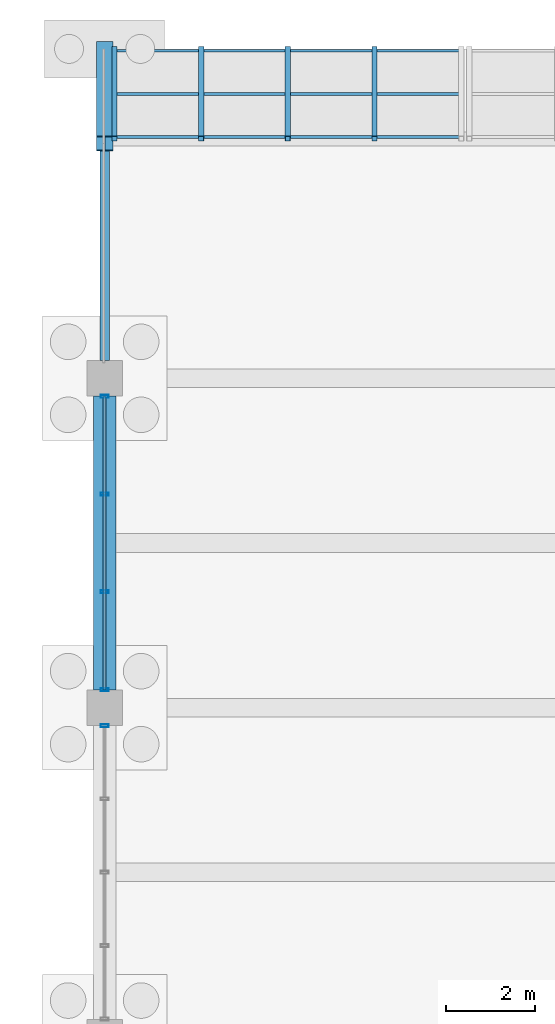
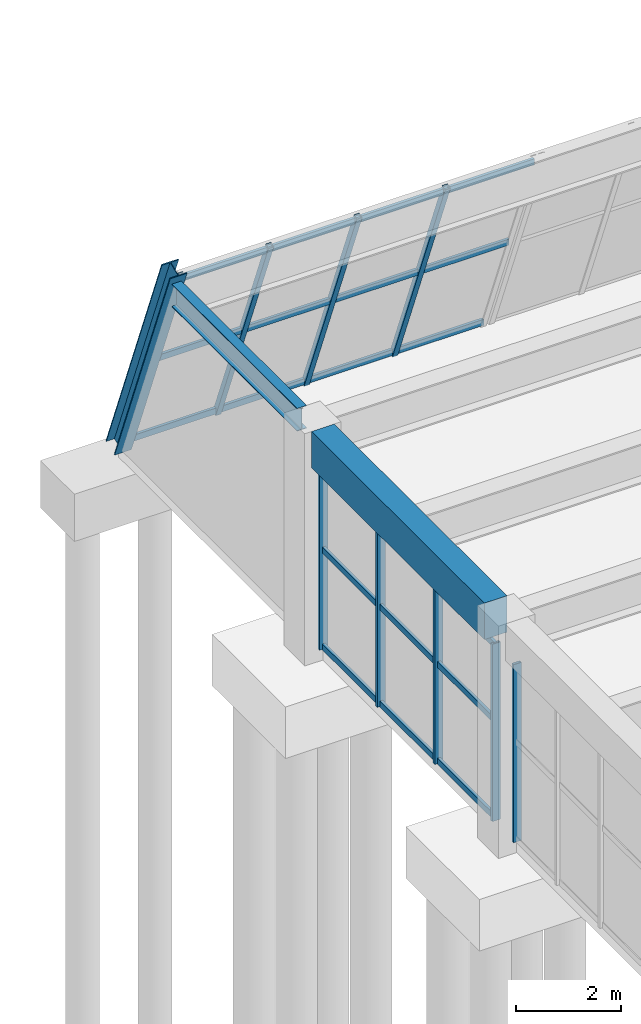
# One storey, part 87 of 140: 16 members, 2 beams, 3 elements without a shape of their own.
"""IFC4 building model written with IfcOpenShell, lengths in metres."""

from ifc_helpers import new_model, si_unit, direction, frame, origin, origin_2d, place, context, subcontext, project, spatial, rectangle, hollow_rectangle, i_section, extrude, material, material_profile, profile_set, type_object, element, aggregate, save


model = new_model("IFC4")

# Units and contexts
model_context = context("Model", 3, precision=1e-05, world=origin(), true_north=direction((0.0, 1.0)))
body_context = subcontext(model_context, "Body", "Model", "MODEL_VIEW")
ifc_project = project(units=[si_unit("LENGTHUNIT", "METRE"), si_unit("AREAUNIT", "SQUARE_METRE"), si_unit("VOLUMEUNIT", "CUBIC_METRE"), si_unit("PLANEANGLEUNIT", "RADIAN"), si_unit("MASSUNIT", "GRAM", prefix="KILO")], contexts=[model_context])

# Site, building, storey
site_placement = place(None, origin())
site = spatial("IfcSite", under=ifc_project, at=site_placement, CompositionType="ELEMENT")
building_placement = place(site_placement, origin())
building = spatial("IfcBuilding", under=site, at=building_placement, Name="Cimatlan Art Gallery", CompositionType="ELEMENT")
storey_placement = place(building_placement, origin())
storey = spatial("IfcBuildingStorey", under=building, at=storey_placement, Name="L00", CompositionType="ELEMENT", Elevation=0.0)

# Beams
ifc_material_1 = material(Name="Concrete C40/50", Category="concrete")
ifc_material_profile_1 = material_profile(ifc_material_1, rectangle(XDim=0.5, YDim=0.85009765625, at=origin_2d()), Name="RC500X850")
ifc_profile_set_1 = profile_set([ifc_material_profile_1], Name="Concrete C40/50")
beam_type_1 = type_object("IfcBeamType", Name="BM-RC-500X850", PredefinedType="BEAM", material=ifc_profile_set_1)
beam_1_placement = place(storey_placement, frame((74.89990234375, 98.300048828125, 4.7099609375), z_axis=(0.0, 1.0, 0.0), x_axis=(-1.0, 0.0, 0.0)))
element("IfcBeam", 1, at=beam_1_placement, inside=storey, type_object=beam_type_1, Name="BM-Y-L00-09-13", PredefinedType="BEAM", context=body_context, shape_type="SweptSolid", body=[
    extrude(rectangle(XDim=0.5, YDim=0.85009765625, at=origin_2d()), origin(), (0.0, 0.0, 1.0), 6.599853515625),
])
ifc_material_2 = material(Name="Steel ASTM A992 Grade 50", Category="steel")
ifc_material_profile_2 = material_profile(ifc_material_2, i_section(OverallWidth=0.2099609375, OverallDepth=0.532958984375, WebThickness=0.01025390625, FlangeThickness=0.015625, at=origin_2d()), Name="W21X62")
ifc_profile_set_2 = profile_set([ifc_material_profile_2], Name="Steel ASTM A992 Grade 50")
beam_type_2 = type_object("IfcBeamType", Name="BM-STL-W21X62", PredefinedType="BEAM", material=ifc_profile_set_2)
beam_2_placement = place(storey_placement, frame((74.89990234375, 105.699951171875, 4.868408203125), z_axis=(0.0, 1.0, 0.0), x_axis=(-1.0, 0.0, 0.0)))
element("IfcBeam", 2, at=beam_2_placement, inside=storey, type_object=beam_type_2, Name="BM-PRW-Y-L00-B3-9", PredefinedType="BEAM", context=body_context, shape_type="SweptSolid", body=[
    extrude(i_section(OverallWidth=0.2099609375, OverallDepth=0.532958984375, WebThickness=0.01025390625, FlangeThickness=0.015625, at=origin_2d()), origin(), (0.0, 0.0, 1.0), 4.787353515625),
])

# Curtain wall, member
ifc_material_3 = material(Name="Anodised bronze unitised curtain wall")
curtain_wall_type_1 = type_object("IfcCurtainWallType", Name="CW-V-06592X04148-B4", PredefinedType="NOTDEFINED", material=ifc_material_3)
curtain_wall_1_placement = place(storey_placement, origin())
curtain_wall_1 = element("IfcCurtainWall", 3, at=curtain_wall_1_placement, inside=storey, type_object=curtain_wall_type_1, Name="CW-L00-09-12-W", PredefinedType="NOTDEFINED")
ifc_material_4 = material(Name="Anodised bronze aluminium 6063-T6", Category="aluminium")
ifc_material_profile_3 = material_profile(ifc_material_4, hollow_rectangle(XDim=0.06494140625, YDim=0.179931640625, WallThickness=0.00390625, at=origin_2d()), Name="ALU65X180X4")
ifc_profile_set_3 = profile_set([ifc_material_profile_3], Name="Anodised bronze aluminium 6063-T6")
member_type_1 = type_object("IfcMemberType", Name="CW-MUL-180", PredefinedType="MULLION", material=ifc_profile_set_3)
member_1_placement = place(storey_placement, frame((74.89990234375, 97.49609375, 0.0), z_axis=(0.0, 0.0, 1.0), x_axis=(0.0, 1.0, 0.0)))
member_1 = element("IfcMember", 4, at=member_1_placement, type_object=member_type_1, Name="CW-L00-09-12-W-M5", PredefinedType="MULLION", context=body_context, shape_type="SweptSolid", body=[
    extrude(hollow_rectangle(XDim=0.06494140625, YDim=0.179931640625, WallThickness=0.00390625, at=origin_2d()), origin(), (0.0, 0.0, 1.0), 4.14794921875),
])
aggregate(curtain_wall_1, [member_1])

# Curtain wall, members
curtain_wall_type_2 = type_object("IfcCurtainWallType", Name="CW-V-06592X04133-B3", PredefinedType="NOTDEFINED", material=ifc_material_3)
curtain_wall_2_placement = place(storey_placement, origin())
curtain_wall_2 = element("IfcCurtainWall", 5, at=curtain_wall_2_placement, inside=storey, type_object=curtain_wall_type_2, Name="CW-L00-09-13-W", PredefinedType="NOTDEFINED")
member_2_placement = place(storey_placement, frame((74.89990234375, 98.303955078125, 0.0), z_axis=(0.0, 0.0, 1.0), x_axis=(0.0, 1.0, 0.0)))
member_2 = element("IfcMember", 6, at=member_2_placement, type_object=member_type_1, Name="CW-L00-09-13-W-M1", PredefinedType="MULLION", context=body_context, shape_type="SweptSolid", body=[
    extrude(hollow_rectangle(XDim=0.06494140625, YDim=0.179931640625, WallThickness=0.00390625, at=origin_2d()), origin(), (0.0, 0.0, 1.0), 4.133056640625),
])
member_3_placement = place(storey_placement, frame((74.89990234375, 100.501220703125, 0.0), z_axis=(0.0, 0.0, 1.0), x_axis=(0.0, 1.0, 0.0)))
member_3 = element("IfcMember", 7, at=member_3_placement, type_object=member_type_1, Name="CW-L00-09-13-W-M2", PredefinedType="MULLION", context=body_context, shape_type="SweptSolid", body=[
    extrude(hollow_rectangle(XDim=0.06494140625, YDim=0.179931640625, WallThickness=0.00390625, at=origin_2d()), origin(), (0.0, 0.0, 1.0), 4.133056640625),
])
member_4_placement = place(storey_placement, frame((74.89990234375, 102.69873046875, 0.0), z_axis=(0.0, 0.0, 1.0), x_axis=(0.0, 1.0, 0.0)))
member_4 = element("IfcMember", 8, at=member_4_placement, type_object=member_type_1, Name="CW-L00-09-13-W-M3", PredefinedType="MULLION", context=body_context, shape_type="SweptSolid", body=[
    extrude(hollow_rectangle(XDim=0.06494140625, YDim=0.179931640625, WallThickness=0.00390625, at=origin_2d()), origin(), (0.0, 0.0, 1.0), 4.133056640625),
])
member_5_placement = place(storey_placement, frame((74.89990234375, 104.89599609375, 0.0), z_axis=(0.0, 0.0, 1.0), x_axis=(0.0, 1.0, 0.0)))
member_5 = element("IfcMember", 9, at=member_5_placement, type_object=member_type_1, Name="CW-L00-09-13-W-M4", PredefinedType="MULLION", context=body_context, shape_type="SweptSolid", body=[
    extrude(hollow_rectangle(XDim=0.06494140625, YDim=0.179931640625, WallThickness=0.00390625, at=origin_2d()), origin(), (0.0, 0.0, 1.0), 4.133056640625),
])

ifc_material_5 = material(Name="Raked steel-and-bronze lancet curtain wall", Category="steel")
curtain_wall_type_3 = type_object("IfcCurtainWallType", Name="CW-RAK-07790X05503-B4", PredefinedType="NOTDEFINED", material=ifc_material_5)
curtain_wall_3_placement = place(storey_placement, origin())
curtain_wall_3 = element("IfcCurtainWall", 10, at=curtain_wall_3_placement, inside=storey, type_object=curtain_wall_type_3, Name="CW-PROW-L00-B3-9", PredefinedType="NOTDEFINED")
ifc_material_6 = material(Name="Steel ASTM A500 Grade C", Category="steel")
ifc_material_profile_4 = material_profile(ifc_material_6, hollow_rectangle(XDim=0.1201171875, YDim=0.1201171875, WallThickness=0.00634765625, at=origin_2d()), Name="HSS120X120X6")
ifc_profile_set_4 = profile_set([ifc_material_profile_4], Name="Steel ASTM A500 Grade C")
member_type_2 = type_object("IfcMemberType", Name="CW-MUL-RAK", PredefinedType="MULLION", material=ifc_profile_set_4)
member_6_placement = place(storey_placement, frame((75.1201171875, 112.699951171875, 0.0), z_axis=(0.0, -0.366497751223, 0.930418937011), x_axis=(1.0, 0.0, 0.0)))
member_6 = element("IfcMember", 11, at=member_6_placement, type_object=member_type_2, Name="CW-PROW-L00-B3-9-M1", PredefinedType="MULLION", context=body_context, shape_type="SweptSolid", body=[
    extrude(hollow_rectangle(XDim=0.1201171875, YDim=0.1201171875, WallThickness=0.00634765625, at=origin_2d()), origin(), (0.0, 0.0, 1.0), 5.5029296875),
])
member_7_placement = place(storey_placement, frame((77.0673828125, 112.699951171875, 0.0), z_axis=(0.0, -0.366497751223, 0.930418937011), x_axis=(1.0, 0.0, 0.0)))
member_7 = element("IfcMember", 12, at=member_7_placement, type_object=member_type_2, Name="CW-PROW-L00-B3-9-M2", PredefinedType="MULLION", context=body_context, shape_type="SweptSolid", body=[
    extrude(hollow_rectangle(XDim=0.1201171875, YDim=0.1201171875, WallThickness=0.00634765625, at=origin_2d()), origin(), (0.0, 0.0, 1.0), 5.5029296875),
])
member_8_placement = place(storey_placement, frame((79.014892578125, 112.699951171875, 0.0), z_axis=(0.0, -0.366497751223, 0.930418937011), x_axis=(1.0, 0.0, 0.0)))
member_8 = element("IfcMember", 13, at=member_8_placement, type_object=member_type_2, Name="CW-PROW-L00-B3-9-M3", PredefinedType="MULLION", context=body_context, shape_type="SweptSolid", body=[
    extrude(hollow_rectangle(XDim=0.1201171875, YDim=0.1201171875, WallThickness=0.00634765625, at=origin_2d()), origin(), (0.0, 0.0, 1.0), 5.5029296875),
])
member_9_placement = place(storey_placement, frame((80.96240234375, 112.699951171875, 0.0), z_axis=(0.0, -0.366497751223, 0.930418937011), x_axis=(1.0, 0.0, 0.0)))
member_9 = element("IfcMember", 14, at=member_9_placement, type_object=member_type_2, Name="CW-PROW-L00-B3-9-M4", PredefinedType="MULLION", context=body_context, shape_type="SweptSolid", body=[
    extrude(hollow_rectangle(XDim=0.1201171875, YDim=0.1201171875, WallThickness=0.00634765625, at=origin_2d()), origin(), (0.0, 0.0, 1.0), 5.5029296875),
])
ifc_material_profile_5 = material_profile(ifc_material_4, hollow_rectangle(XDim=0.06494140625, YDim=0.139892578125, WallThickness=0.00390625, at=origin_2d()), Name="ALU65X140X4")
ifc_profile_set_5 = profile_set([ifc_material_profile_5], Name="Anodised bronze aluminium 6063-T6")
member_type_3 = type_object("IfcMemberType", Name="CW-TRN-140", PredefinedType="USERDEFINED", material=ifc_profile_set_5)
member_10_placement = place(storey_placement, frame((75.1201171875, 112.65966796875, 0.102294921875), z_axis=(1.0, 0.0, 0.0), x_axis=(0.0, 1.0, 0.0)))
member_10 = element("IfcMember", 15, at=member_10_placement, type_object=member_type_3, Name="CW-PROW-L00-B3-9-T1", ObjectType="TRANSOM", PredefinedType="USERDEFINED", context=body_context, shape_type="SweptSolid", body=[
    extrude(hollow_rectangle(XDim=0.06494140625, YDim=0.139892578125, WallThickness=0.00390625, at=origin_2d()), origin(), (0.0, 0.0, 1.0), 7.789794921875),
])
member_11_placement = place(storey_placement, frame((75.1201171875, 111.691650390625, 2.56005859375), z_axis=(1.0, 0.0, 0.0), x_axis=(0.0, 1.0, 0.0)))
member_11 = element("IfcMember", 16, at=member_11_placement, type_object=member_type_3, Name="CW-PROW-L00-B3-9-T2", ObjectType="TRANSOM", PredefinedType="USERDEFINED", context=body_context, shape_type="SweptSolid", body=[
    extrude(hollow_rectangle(XDim=0.06494140625, YDim=0.139892578125, WallThickness=0.00390625, at=origin_2d()), origin(), (0.0, 0.0, 1.0), 7.789794921875),
])
member_12_placement = place(storey_placement, frame((75.1201171875, 110.723388671875, 5.017578125), z_axis=(1.0, 0.0, 0.0), x_axis=(0.0, 1.0, 0.0)))
member_12 = element("IfcMember", 17, at=member_12_placement, type_object=member_type_3, Name="CW-PROW-L00-B3-9-T3", ObjectType="TRANSOM", PredefinedType="USERDEFINED", context=body_context, shape_type="SweptSolid", body=[
    extrude(hollow_rectangle(XDim=0.06494140625, YDim=0.139892578125, WallThickness=0.00390625, at=origin_2d()), origin(), (0.0, 0.0, 1.0), 7.789794921875),
])
aggregate(curtain_wall_3, [member_6, member_7, member_8, member_9, member_10, member_11, member_12])

# Member
member_13_placement = place(storey_placement, frame((74.89990234375, 98.303955078125, 0.06005859375), z_axis=(0.0, 1.0, 0.0), x_axis=(-1.0, 0.0, 0.0)))
member_13 = element("IfcMember", 18, at=member_13_placement, type_object=member_type_3, Name="CW-L00-09-13-W-T1", ObjectType="TRANSOM", PredefinedType="USERDEFINED", context=body_context, shape_type="SweptSolid", body=[
    extrude(hollow_rectangle(XDim=0.06494140625, YDim=0.139892578125, WallThickness=0.00390625, at=origin_2d()), origin(), (0.0, 0.0, 1.0), 6.592041015625),
])

member_14_placement = place(storey_placement, frame((74.89990234375, 98.303955078125, 2.314453125), z_axis=(0.0, 1.0, 0.0), x_axis=(-1.0, 0.0, 0.0)))
member_14 = element("IfcMember", 19, at=member_14_placement, type_object=member_type_3, Name="CW-L00-09-13-W-T2", ObjectType="TRANSOM", PredefinedType="USERDEFINED", context=body_context, shape_type="SweptSolid", body=[
    extrude(hollow_rectangle(XDim=0.06494140625, YDim=0.139892578125, WallThickness=0.00390625, at=origin_2d()), origin(), (0.0, 0.0, 1.0), 6.592041015625),
])

member_15_placement = place(storey_placement, frame((74.89990234375, 98.303955078125, 4.072998046875), z_axis=(0.0, 1.0, 0.0), x_axis=(-1.0, 0.0, 0.0)))
member_15 = element("IfcMember", 20, at=member_15_placement, type_object=member_type_3, Name="CW-L00-09-13-W-T3", ObjectType="TRANSOM", PredefinedType="USERDEFINED", context=body_context, shape_type="SweptSolid", body=[
    extrude(hollow_rectangle(XDim=0.06494140625, YDim=0.139892578125, WallThickness=0.00390625, at=origin_2d()), origin(), (0.0, 0.0, 1.0), 6.592041015625),
])

aggregate(curtain_wall_2, [member_2, member_3, member_4, member_5, member_13, member_14, member_15])

ifc_material_profile_6 = material_profile(ifc_material_2, i_section(OverallWidth=0.37109375, OverallDepth=0.364013671875, WebThickness=0.01318359375, FlangeThickness=0.021728515625, at=origin_2d()), Name="W14X109")
ifc_profile_set_6 = profile_set([ifc_material_profile_6], Name="Steel ASTM A992 Grade 50")
member_type_4 = type_object("IfcMemberType", Name="MBR-RAK-W14X109", PredefinedType="RAFTER", material=ifc_profile_set_6)
member_16_placement = place(storey_placement, frame((74.89990234375, 112.699951171875, 0.0), z_axis=(0.0, -0.366482585354, 0.930424910797), x_axis=(1.0, 0.0, 0.0)))
element("IfcMember", 21, at=member_16_placement, inside=storey, type_object=member_type_4, Name="MBR-RAK-L00-B3-09", PredefinedType="RAFTER", context=body_context, shape_type="SweptSolid", body=[
    extrude(i_section(OverallWidth=0.37109375, OverallDepth=0.364013671875, WebThickness=0.01318359375, FlangeThickness=0.021728515625, at=origin_2d()), origin(), (0.0, 0.0, 1.0), 5.8037109375),
])

save(model, "model.ifc")
